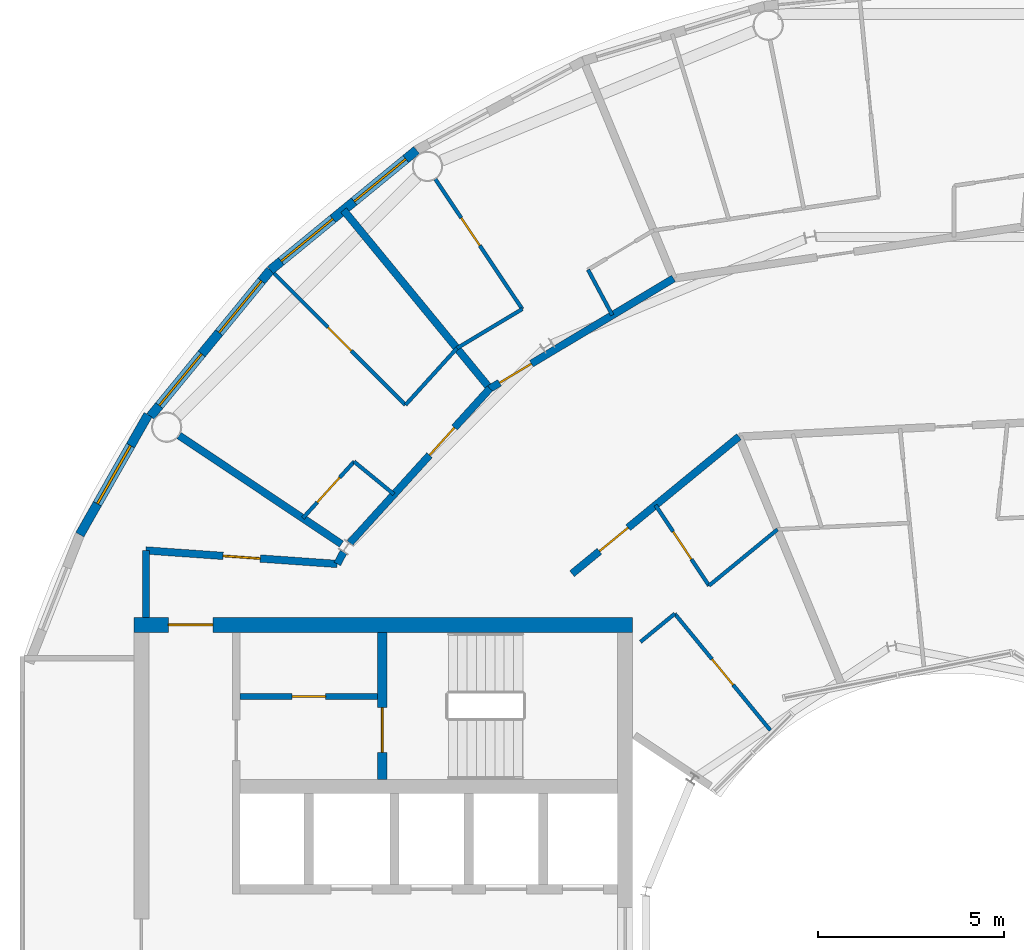
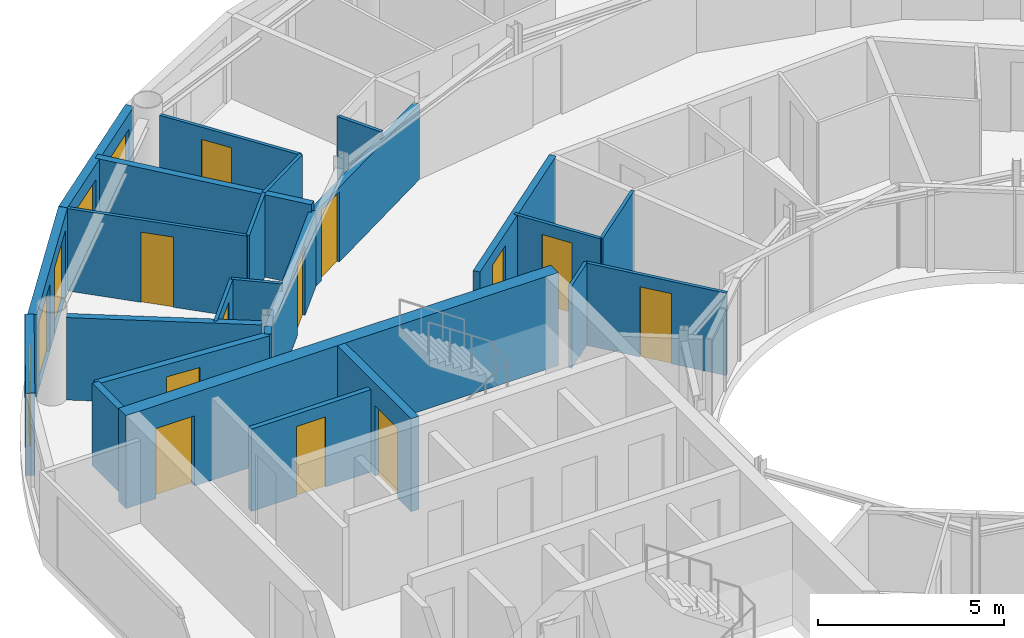
# One storey, part 16 of 22: 25 walls, 16 doors, 1 window, 17 openings.
"""IFC4 building model written with IfcOpenShell, lengths in metres."""

from ifc_helpers import new_model, si_unit, direction, frame, frame_2d, origin, place, context, subcontext, project, spatial, rectangle, extrude, material, layer, layer_set, type_object, element, fill, save


model = new_model("IFC4")

# Units and contexts
model_context = context("Model", 3, precision=1e-05, world=origin(), true_north=direction((0.0, 1.0)))
body_context = subcontext(model_context, "Body", "Model", "MODEL_VIEW")
ifc_project = project(units=[si_unit("LENGTHUNIT", "METRE"), si_unit("AREAUNIT", "SQUARE_METRE"), si_unit("VOLUMEUNIT", "CUBIC_METRE"), si_unit("PLANEANGLEUNIT", "RADIAN"), si_unit("MASSUNIT", "GRAM", prefix="KILO")], contexts=[model_context])

# Site, building, storey
site_placement = place(None, origin())
site = spatial("IfcSite", under=ifc_project, at=site_placement, CompositionType="ELEMENT")
building_placement = place(site_placement, origin())
building = spatial("IfcBuilding", under=site, at=building_placement, Name="Maasbend Ring Residences", CompositionType="ELEMENT")
storey_placement = place(building_placement, frame((0.0, 0.0, 237.10009765625)))
storey = spatial("IfcBuildingStorey", under=building, at=storey_placement, Name="L68", CompositionType="ELEMENT", Elevation=237.10009765625)

# Wall, opening, door
ifc_material_1 = material(Name="Concrete C50/60", Category="concrete")
ifc_layer_1 = layer(ifc_material_1, 0.25)
ifc_layer_set_1 = layer_set([ifc_layer_1], Name="Concrete C50/60")
wall_type_1 = type_object("IfcWallType", Name="CORE WALL 250 C50/60", PredefinedType="SHEAR", material=ifc_layer_set_1)
wall_1_placement = place(storey_placement, frame((-15.324951171875, 8.60009765625, 0.0), z_axis=(0.0, 0.0, 1.0), x_axis=(0.0, -1.0, 0.0)))
wall_1 = element("IfcWall", 1, at=wall_1_placement, inside=storey, type_object=wall_type_1, Name="L68 core W wall STES", PredefinedType="SHEAR", context=body_context, shape_type="SweptSolid", body=[
    extrude(rectangle(XDim=3.9501953125, YDim=0.25, at=frame_2d((1.97509765625, 0.0))), origin(), (0.0, 0.0, 1.0), 3.0498046875),
])
opening_1_placement = place(wall_1_placement, frame((2.02490234375, 0.0, 0.0)))
opening_1 = element("IfcOpeningElement", 2, at=opening_1_placement, cuts=wall_1, Name="Opening D-W6812", PredefinedType="OPENING", context=body_context, shape_type="SweptSolid", body=[
    extrude(rectangle(XDim=1.199951171875, YDim=2.300048828125, at=frame_2d((0.60009765625, 1.14990234375))), frame((0.0, 0.135009765625, 0.0), z_axis=(0.0, -1.0, 0.0), x_axis=(1.0, 0.0, 0.0)), (0.0, 0.0, 1.0), 0.27001953125),
])
ifc_material_2 = material(Name="Steel, powder coated", Category="steel")
door_type_1 = type_object("IfcDoorType", Name="STAIR DOOR 1200 X 2300 FD60", OperationType="NOTDEFINED", PredefinedType="DOOR", material=ifc_material_2)
door_1_placement = place(opening_1_placement, origin())
door_1 = element("IfcDoor", 3, at=door_1_placement, inside=storey, type_object=door_type_1, Name="Stair door ST-W L68", OperationType="SINGLE_SWING_LEFT", OverallHeight=2.300048828125, OverallWidth=1.199951171875, PredefinedType="DOOR", context=body_context, shape_type="SweptSolid", body=[
    extrude(rectangle(XDim=1.199951171875, YDim=2.300048828125, at=frame_2d((0.60009765625, 1.14990234375))), frame((0.0, 0.02490234375, 0.0), z_axis=(0.0, -1.0, 0.0), x_axis=(1.0, 0.0, 0.0)), (0.0, 0.0, 1.0), 0.050048828125),
])
fill(opening_1, door_1)

ifc_material_3 = material(Name="Concrete C50/60", Category="concrete")
ifc_layer_2 = layer(ifc_material_3, 0.39990234375)
ifc_layer_set_2 = layer_set([ifc_layer_2], Name="Concrete C50/60")
wall_type_2 = type_object("IfcWallType", Name="CORE WALL 400 C50/60", PredefinedType="SHEAR", material=ifc_layer_set_2)
wall_2_placement = place(storey_placement, frame((-8.60009765625, 8.800048828125, 0.0), z_axis=(0.0, 0.0, 1.0), x_axis=(-1.0, 0.0, 0.0)))
wall_2 = element("IfcWall", 4, at=wall_2_placement, inside=storey, type_object=wall_type_2, Name="L68 core W wall PS", PredefinedType="SHEAR", context=body_context, shape_type="SweptSolid", body=[
    extrude(rectangle(XDim=13.39990234375, YDim=0.39990234375, at=frame_2d((6.699951171875, 0.0))), origin(), (0.0, 0.0, 1.0), 3.0498046875),
])
opening_2_placement = place(wall_2_placement, frame((11.27490234375, 0.0, 0.0)))
opening_2 = element("IfcOpeningElement", 5, at=opening_2_placement, cuts=wall_2, Name="Opening D-W6816", PredefinedType="OPENING", context=body_context, shape_type="SweptSolid", body=[
    extrude(rectangle(XDim=1.199951171875, YDim=2.300048828125, at=frame_2d((0.60009765625, 1.14990234375))), frame((0.0, 0.2099609375, 0.0), z_axis=(0.0, -1.0, 0.0), x_axis=(1.0, 0.0, 0.0)), (0.0, 0.0, 1.0), 0.419921875),
])
ifc_material_4 = material(Name="Steel, powder coated", Category="steel")
door_type_2 = type_object("IfcDoorType", Name="CORRIDOR DOOR 1200 X 2300 FD30S", OperationType="NOTDEFINED", PredefinedType="DOOR", material=ifc_material_4)
door_2_placement = place(opening_2_placement, origin())
door_2 = element("IfcDoor", 6, at=door_2_placement, inside=storey, type_object=door_type_2, Name="Corridor door L68", OperationType="SINGLE_SWING_LEFT", OverallHeight=2.300048828125, OverallWidth=1.199951171875, PredefinedType="DOOR", context=body_context, shape_type="SweptSolid", body=[
    extrude(rectangle(XDim=1.199951171875, YDim=2.300048828125, at=frame_2d((0.60009765625, 1.14990234375))), frame((0.0, 0.02490234375, 0.0), z_axis=(0.0, -1.0, 0.0), x_axis=(1.0, 0.0, 0.0)), (0.0, 0.0, 1.0), 0.050048828125),
])
fill(opening_2, door_2)

ifc_material_5 = material(Name="Concrete C30/37", Category="concrete")
ifc_layer_3 = layer(ifc_material_5, 0.199951171875)
ifc_layer_set_3 = layer_set([ifc_layer_3], Name="Concrete C30/37")
wall_type_3 = type_object("IfcWallType", Name="CORRIDOR WALL 200 CONCRETE", PredefinedType="PARTITIONING", material=ifc_layer_set_3)
wall_3_placement = place(storey_placement, frame((-21.675048828125, 10.800048828125, 0.0), z_axis=(0.0, 0.0, 1.0), x_axis=(0.997515141784, -0.070452408845, 0.0)))
wall_3 = element("IfcWall", 7, at=wall_3_placement, inside=storey, type_object=wall_type_3, Name="U-L68-w099", PredefinedType="PARTITIONING", context=body_context, shape_type="SweptSolid", body=[
    extrude(rectangle(XDim=5.15283203125, YDim=0.199951171875, at=frame_2d((2.576416015625, 0.0))), origin(), (0.0, 0.0, 1.0), 2.699951171875),
])
opening_3_placement = place(wall_3_placement, frame((2.075927734375, 0.0, 0.0)))
opening_3 = element("IfcOpeningElement", 8, at=opening_3_placement, cuts=wall_3, Name="Opening D-6866", PredefinedType="OPENING", context=body_context, shape_type="SweptSolid", body=[
    extrude(rectangle(XDim=1.0, YDim=2.300048828125, at=frame_2d((0.5, 1.14990234375))), frame((0.0, 0.10986328125, 0.0), z_axis=(0.0, -1.0, 0.0), x_axis=(1.0, 0.0, 0.0)), (0.0, 0.0, 1.0), 0.219970703125),
])
ifc_material_6 = material(Name="Timber, painted", Category="wood")
door_type_3 = type_object("IfcDoorType", Name="ROOM DOOR 1000 X 2300", OperationType="NOTDEFINED", PredefinedType="DOOR", material=ifc_material_6)
door_3_placement = place(opening_3_placement, origin())
door_3 = element("IfcDoor", 9, at=door_3_placement, inside=storey, type_object=door_type_3, Name="D-6866", OperationType="SINGLE_SWING_RIGHT", OverallHeight=2.300048828125, OverallWidth=1.0, PredefinedType="DOOR", context=body_context, shape_type="SweptSolid", body=[
    extrude(rectangle(XDim=1.0, YDim=2.300048828125, at=frame_2d((0.5, 1.14990234375))), frame((0.0, 0.02490234375, 0.0), z_axis=(0.0, -1.0, 0.0), x_axis=(1.0, 0.0, 0.0)), (0.0, 0.0, 1.0), 0.050048828125),
])
fill(opening_3, door_3)

wall_4_placement = place(storey_placement, frame((-10.22802734375, 10.175048828125, 0.0), z_axis=(0.0, 0.0, 1.0), x_axis=(0.772989261861, 0.634419105204, 0.0)))
wall_4 = element("IfcWall", 10, at=wall_4_placement, inside=storey, type_object=wall_type_3, Name="U-L68-w109", PredefinedType="PARTITIONING", context=body_context, shape_type="SweptSolid", body=[
    extrude(rectangle(XDim=5.803466796875, YDim=0.199951171875, at=frame_2d((2.90185546875, 0.0))), origin(), (0.0, 0.0, 1.0), 2.699951171875),
])
opening_4_placement = place(wall_4_placement, frame((0.951904296875, 0.0, 0.0)))
opening_4 = element("IfcOpeningElement", 11, at=opening_4_placement, cuts=wall_4, Name="Opening D-6830", PredefinedType="OPENING", context=body_context, shape_type="SweptSolid", body=[
    extrude(rectangle(XDim=1.0, YDim=2.300048828125, at=frame_2d((0.5, 1.14990234375))), frame((0.0, 0.10986328125, 0.0), z_axis=(0.0, -1.0, 0.0), x_axis=(1.0, 0.0, 0.0)), (0.0, 0.0, 1.0), 0.219970703125),
])
ifc_material_7 = material(Name="Timber, fire-rated, painted", Category="wood")
door_type_4 = type_object("IfcDoorType", Name="FLAT ENTRANCE DOOR 1000 X 2300 FIRE-RATED", OperationType="NOTDEFINED", PredefinedType="DOOR", material=ifc_material_7)
door_4_placement = place(opening_4_placement, origin())
door_4 = element("IfcDoor", 12, at=door_4_placement, inside=storey, type_object=door_type_4, Name="D-6830", OperationType="SINGLE_SWING_LEFT", OverallHeight=2.300048828125, OverallWidth=1.0, PredefinedType="DOOR", context=body_context, shape_type="SweptSolid", body=[
    extrude(rectangle(XDim=1.0, YDim=2.300048828125, at=frame_2d((0.5, 1.14990234375))), frame((0.0, 0.02490234375, 0.0), z_axis=(0.0, -1.0, 0.0), x_axis=(1.0, 0.0, 0.0)), (0.0, 0.0, 1.0), 0.050048828125),
])
fill(opening_4, door_4)

wall_5_placement = place(storey_placement, frame((-16.195068359375, 11.001953125, 0.0), z_axis=(0.0, 0.0, 1.0), x_axis=(0.671619657805, 0.740896102871, 0.0)))
wall_5 = element("IfcWall", 13, at=wall_5_placement, inside=storey, type_object=wall_type_3, Name="U-L68-w111", PredefinedType="PARTITIONING", context=body_context, shape_type="SweptSolid", body=[
    extrude(rectangle(XDim=5.599853515625, YDim=0.199951171875, at=frame_2d((2.7998046875, 0.0))), origin(), (0.0, 0.0, 1.0), 2.449951171875),
])
opening_5_placement = place(wall_5_placement, frame((3.18310546875, 0.0, 0.0)))
opening_5 = element("IfcOpeningElement", 14, at=opening_5_placement, cuts=wall_5, Name="Opening D-6818", PredefinedType="OPENING", context=body_context, shape_type="SweptSolid", body=[
    extrude(rectangle(XDim=1.0, YDim=2.300048828125, at=frame_2d((0.5, 1.14990234375))), frame((0.0, 0.10986328125, 0.0), z_axis=(0.0, -1.0, 0.0), x_axis=(1.0, 0.0, 0.0)), (0.0, 0.0, 1.0), 0.219970703125),
])
door_5_placement = place(opening_5_placement, origin())
door_5 = element("IfcDoor", 15, at=door_5_placement, inside=storey, type_object=door_type_4, Name="D-6818", OperationType="SINGLE_SWING_RIGHT", OverallHeight=2.300048828125, OverallWidth=1.0, PredefinedType="DOOR", context=body_context, shape_type="SweptSolid", body=[
    extrude(rectangle(XDim=1.0, YDim=2.300048828125, at=frame_2d((0.5, 1.14990234375))), frame((0.0, 0.02490234375, 0.0), z_axis=(0.0, -1.0, 0.0), x_axis=(1.0, 0.0, 0.0)), (0.0, 0.0, 1.0), 0.050048828125),
])
fill(opening_5, door_5)

wall_6_placement = place(storey_placement, frame((-12.43896484375, 15.14599609375, 0.0), z_axis=(0.0, 0.0, 1.0), x_axis=(0.857560257806, 0.514383518624, 0.0)))
wall_6 = element("IfcWall", 16, at=wall_6_placement, inside=storey, type_object=wall_type_3, Name="U-L68-w112", PredefinedType="PARTITIONING", context=body_context, shape_type="SweptSolid", body=[
    extrude(rectangle(XDim=5.75830078125, YDim=0.199951171875, at=frame_2d((2.879150390625, 0.0))), origin(), (0.0, 0.0, 1.0), 2.449951171875),
])
opening_6_placement = place(wall_6_placement, frame((0.306884765625, 0.0, 0.0)))
opening_6 = element("IfcOpeningElement", 17, at=opening_6_placement, cuts=wall_6, Name="Opening D-6815", PredefinedType="OPENING", context=body_context, shape_type="SweptSolid", body=[
    extrude(rectangle(XDim=1.0, YDim=2.300048828125, at=frame_2d((0.5, 1.14990234375))), frame((0.0, 0.10986328125, 0.0), z_axis=(0.0, -1.0, 0.0), x_axis=(1.0, 0.0, 0.0)), (0.0, 0.0, 1.0), 0.219970703125),
])
door_6_placement = place(opening_6_placement, origin())
door_6 = element("IfcDoor", 18, at=door_6_placement, inside=storey, type_object=door_type_4, Name="D-6815", OperationType="SINGLE_SWING_LEFT", OverallHeight=2.300048828125, OverallWidth=1.0, PredefinedType="DOOR", context=body_context, shape_type="SweptSolid", body=[
    extrude(rectangle(XDim=1.0, YDim=2.300048828125, at=frame_2d((0.5, 1.14990234375))), frame((0.0, 0.02490234375, 0.0), z_axis=(0.0, -1.0, 0.0), x_axis=(1.0, 0.0, 0.0)), (0.0, 0.0, 1.0), 0.050048828125),
])
fill(opening_6, door_6)

# Walls
wall_7_placement = place(storey_placement, frame((-16.534912109375, 10.43701171875, 0.0), z_axis=(0.0, 0.0, 1.0), x_axis=(0.465802239822, 0.884888848035, 0.0)))
element("IfcWall", 19, at=wall_7_placement, inside=storey, type_object=wall_type_3, Name="U-L68-w116", PredefinedType="PARTITIONING", context=body_context, shape_type="SweptSolid", body=[
    extrude(rectangle(XDim=0.360595703125, YDim=0.199951171875, at=frame_2d((0.18017578125, 0.0))), origin(), (0.0, 0.0, 1.0), 2.699951171875),
])
wall_8_placement = place(storey_placement, frame((-21.675048828125, 9.0, 0.0), z_axis=(0.0, 0.0, 1.0), x_axis=(0.0, 1.0, 0.0)))
element("IfcWall", 20, at=wall_8_placement, inside=storey, type_object=wall_type_3, Name="U-L68-w131", PredefinedType="PARTITIONING", context=body_context, shape_type="SweptSolid", body=[
    extrude(rectangle(XDim=1.800048828125, YDim=0.199951171875, at=frame_2d((0.89990234375, 0.0))), origin(), (0.0, 0.0, 1.0), 2.699951171875),
])

# Wall, openings, doors
ifc_material_8 = material(Name="Aluminium clad insulated panel", Category="aluminium")
ifc_layer_4 = layer(ifc_material_8, 0.25)
ifc_layer_set_4 = layer_set([ifc_layer_4], Name="EW-GL")
wall_type_4 = type_object("IfcWallType", Name="EW-GL", PredefinedType="SOLIDWALL", material=ifc_layer_set_4)
wall_9_placement = place(storey_placement, frame((-14.403076171875, 21.555908203125, 0.0), z_axis=(0.0, 0.0, 1.0), x_axis=(-0.77306189429, -0.63433059803, 0.0)))
wall_9 = element("IfcWall", 21, at=wall_9_placement, inside=storey, type_object=wall_type_4, Name="External wall N09", PredefinedType="SOLIDWALL", context=body_context, shape_type="SweptSolid", body=[
    extrude(rectangle(XDim=5.082275390625, YDim=0.25, at=frame_2d((2.541015625, 0.0))), origin(), (0.0, 0.0, 1.0), 2.699951171875),
])
opening_7_placement = place(wall_9_placement, frame((0.37353515625, 0.0, 0.0)))
opening_7 = element("IfcOpeningElement", 22, at=opening_7_placement, cuts=wall_9, Name="Opening D-TR", PredefinedType="OPENING", context=body_context, shape_type="SweptSolid", body=[
    extrude(rectangle(XDim=1.800048828125, YDim=2.199951171875, at=frame_2d((0.89990234375, 1.10009765625))), frame((0.0, 0.135009765625, 0.0), z_axis=(0.0, -1.0, 0.0), x_axis=(1.0, 0.0, 0.0)), (0.0, 0.0, 1.0), 0.27001953125),
])
opening_8_placement = place(wall_9_placement, frame((2.90869140625, 0.0, 0.0)))
opening_8 = element("IfcOpeningElement", 23, at=opening_8_placement, cuts=wall_9, Name="Opening D-TR", PredefinedType="OPENING", context=body_context, shape_type="SweptSolid", body=[
    extrude(rectangle(XDim=1.800048828125, YDim=2.199951171875, at=frame_2d((0.89990234375, 1.10009765625))), frame((0.0, 0.135009765625, 0.0), z_axis=(0.0, -1.0, 0.0), x_axis=(1.0, 0.0, 0.0)), (0.0, 0.0, 1.0), 0.27001953125),
])
ifc_material_9 = material(Name="Aluminium and clear glass", Category="aluminium")
door_type_5 = type_object("IfcDoorType", Name="D-TR", OperationType="DOUBLE_DOOR_SINGLE_SWING", PredefinedType="DOOR", material=ifc_material_9)
door_7_placement = place(opening_7_placement, origin())
door_7 = element("IfcDoor", 24, at=door_7_placement, inside=storey, type_object=door_type_5, Name="Terrace door N17", OperationType="SINGLE_SWING_LEFT", OverallHeight=2.199951171875, OverallWidth=1.800048828125, PredefinedType="DOOR", context=body_context, shape_type="SweptSolid", body=[
    extrude(rectangle(XDim=1.800048828125, YDim=2.199951171875, at=frame_2d((0.89990234375, 1.10009765625))), frame((0.0, 0.02490234375, 0.0), z_axis=(0.0, -1.0, 0.0), x_axis=(1.0, 0.0, 0.0)), (0.0, 0.0, 1.0), 0.050048828125),
])
fill(opening_7, door_7)
door_8_placement = place(opening_8_placement, origin())
door_8 = element("IfcDoor", 25, at=door_8_placement, inside=storey, type_object=door_type_5, Name="Terrace door N18", OperationType="SINGLE_SWING_LEFT", OverallHeight=2.199951171875, OverallWidth=1.800048828125, PredefinedType="DOOR", context=body_context, shape_type="SweptSolid", body=[
    extrude(rectangle(XDim=1.800048828125, YDim=2.199951171875, at=frame_2d((0.89990234375, 1.10009765625))), frame((0.0, 0.02490234375, 0.0), z_axis=(0.0, -1.0, 0.0), x_axis=(1.0, 0.0, 0.0)), (0.0, 0.0, 1.0), 0.050048828125),
])
fill(opening_8, door_8)

wall_10_placement = place(storey_placement, frame((-18.33203125, 18.33203125, 0.0), z_axis=(0.0, 0.0, 1.0), x_axis=(-0.63433059803, -0.77306189429, 0.0)))
wall_10 = element("IfcWall", 26, at=wall_10_placement, inside=storey, type_object=wall_type_4, Name="External wall N10", PredefinedType="SOLIDWALL", context=body_context, shape_type="SweptSolid", body=[
    extrude(rectangle(XDim=5.082275390625, YDim=0.25, at=frame_2d((2.541015625, 0.0))), origin(), (0.0, 0.0, 1.0), 2.699951171875),
])
opening_9_placement = place(wall_10_placement, frame((0.37353515625, 0.0, 0.0)))
opening_9 = element("IfcOpeningElement", 27, at=opening_9_placement, cuts=wall_10, Name="Opening D-TR", PredefinedType="OPENING", context=body_context, shape_type="SweptSolid", body=[
    extrude(rectangle(XDim=1.800048828125, YDim=2.199951171875, at=frame_2d((0.89990234375, 1.10009765625))), frame((0.0, 0.135009765625, 0.0), z_axis=(0.0, -1.0, 0.0), x_axis=(1.0, 0.0, 0.0)), (0.0, 0.0, 1.0), 0.27001953125),
])
opening_10_placement = place(wall_10_placement, frame((2.90869140625, 0.0, 0.0)))
opening_10 = element("IfcOpeningElement", 28, at=opening_10_placement, cuts=wall_10, Name="Opening D-TR", PredefinedType="OPENING", context=body_context, shape_type="SweptSolid", body=[
    extrude(rectangle(XDim=1.800048828125, YDim=2.199951171875, at=frame_2d((0.89990234375, 1.10009765625))), frame((0.0, 0.135009765625, 0.0), z_axis=(0.0, -1.0, 0.0), x_axis=(1.0, 0.0, 0.0)), (0.0, 0.0, 1.0), 0.27001953125),
])
door_9_placement = place(opening_9_placement, origin())
door_9 = element("IfcDoor", 29, at=door_9_placement, inside=storey, type_object=door_type_5, Name="Terrace door N19", OperationType="SINGLE_SWING_LEFT", OverallHeight=2.199951171875, OverallWidth=1.800048828125, PredefinedType="DOOR", context=body_context, shape_type="SweptSolid", body=[
    extrude(rectangle(XDim=1.800048828125, YDim=2.199951171875, at=frame_2d((0.89990234375, 1.10009765625))), frame((0.0, 0.02490234375, 0.0), z_axis=(0.0, -1.0, 0.0), x_axis=(1.0, 0.0, 0.0)), (0.0, 0.0, 1.0), 0.050048828125),
])
fill(opening_9, door_9)
door_10_placement = place(opening_10_placement, origin())
door_10 = element("IfcDoor", 30, at=door_10_placement, inside=storey, type_object=door_type_5, Name="Terrace door N20", OperationType="SINGLE_SWING_LEFT", OverallHeight=2.199951171875, OverallWidth=1.800048828125, PredefinedType="DOOR", context=body_context, shape_type="SweptSolid", body=[
    extrude(rectangle(XDim=1.800048828125, YDim=2.199951171875, at=frame_2d((0.89990234375, 1.10009765625))), frame((0.0, 0.02490234375, 0.0), z_axis=(0.0, -1.0, 0.0), x_axis=(1.0, 0.0, 0.0)), (0.0, 0.0, 1.0), 0.050048828125),
])
fill(opening_10, door_10)

# Wall, opening, window
ifc_material_10 = material(Name="Aluminium clad insulated panel", Category="aluminium")
ifc_layer_5 = layer(ifc_material_10, 0.25)
ifc_layer_set_5 = layer_set([ifc_layer_5], Name="EW-HORN")
wall_type_5 = type_object("IfcWallType", Name="EW-HORN", PredefinedType="SOLIDWALL", material=ifc_layer_set_5)
wall_11_placement = place(storey_placement, frame((-21.617919921875, 14.445068359375, 0.0), z_axis=(0.0, 0.0, 1.0), x_axis=(-0.495031435966, -0.868875064325, 0.0)))
wall_11 = element("IfcWall", 31, at=wall_11_placement, inside=storey, type_object=wall_type_5, Name="Horn wall 4.1", PredefinedType="SOLIDWALL", context=body_context, shape_type="SweptSolid", body=[
    extrude(rectangle(XDim=3.704833984375, YDim=0.25, at=frame_2d((1.8525390625, 0.0))), origin(), (0.0, 0.0, 1.0), 2.699951171875),
])
opening_11_placement = place(wall_11_placement, frame((0.952392578125, 0.0, 0.300048828125)))
opening_11 = element("IfcOpeningElement", 32, at=opening_11_placement, cuts=wall_11, Name="Opening W-BX", PredefinedType="OPENING", context=body_context, shape_type="SweptSolid", body=[
    extrude(rectangle(XDim=1.800048828125, YDim=2.10009765625, at=frame_2d((0.89990234375, 1.050048828125))), frame((0.0, 0.135009765625, 0.0), z_axis=(0.0, -1.0, 0.0), x_axis=(1.0, 0.0, 0.0)), (0.0, 0.0, 1.0), 0.27001953125),
])
ifc_material_11 = material(Name="Aluminium and clear glass", Category="aluminium")
window_type = type_object("IfcWindowType", Name="W-BX", PartitioningType="DOUBLE_PANEL_VERTICAL", PredefinedType="WINDOW", material=ifc_material_11)
window_placement = place(opening_11_placement, origin())
window = element("IfcWindow", 33, at=window_placement, inside=storey, type_object=window_type, Name="Horn window 4.1", OverallHeight=2.10009765625, OverallWidth=1.800048828125, PartitioningType="SINGLE_PANEL", PredefinedType="WINDOW", context=body_context, shape_type="SweptSolid", body=[
    extrude(rectangle(XDim=1.800048828125, YDim=2.10009765625, at=frame_2d((0.89990234375, 1.050048828125))), frame((0.0, 0.030029296875, 0.0), z_axis=(0.0, -1.0, 0.0), x_axis=(1.0, 0.0, 0.0)), (0.0, 0.0, 1.0), 0.06005859375),
])
fill(opening_11, window)

# Wall, opening, door
ifc_material_12 = material(Name="Gypsum board on steel studs", Category="steel")
ifc_layer_6 = layer(ifc_material_12, 0.10009765625)
ifc_layer_set_6 = layer_set([ifc_layer_6], Name="PARTITION 100 GYPSUM")
wall_type_6 = type_object("IfcWallType", Name="PARTITION 100 GYPSUM", PredefinedType="PARTITIONING", material=ifc_layer_set_6)
wall_12_placement = place(storey_placement, frame((-18.238037109375, 18.2490234375, 0.0), z_axis=(0.0, 0.0, 1.0), x_axis=(0.706911528738, -0.707301979735, 0.0)))
wall_12 = element("IfcWall", 34, at=wall_12_placement, inside=storey, type_object=wall_type_6, Name="U-L68-w043", PredefinedType="PARTITIONING", context=body_context, shape_type="SweptSolid", body=[
    extrude(rectangle(XDim=5.002197265625, YDim=0.10009765625, at=frame_2d((2.5009765625, 0.0))), origin(), (0.0, 0.0, 1.0), 2.699951171875),
])
opening_12_placement = place(wall_12_placement, frame((2.051025390625, 0.0, 0.0)))
opening_12 = element("IfcOpeningElement", 35, at=opening_12_placement, cuts=wall_12, Name="Opening D-6820", PredefinedType="OPENING", context=body_context, shape_type="SweptSolid", body=[
    extrude(rectangle(XDim=0.89990234375, YDim=2.300048828125, at=frame_2d((0.449951171875, 1.14990234375))), frame((0.0, 0.06005859375, 0.0), z_axis=(0.0, -1.0, 0.0), x_axis=(1.0, 0.0, 0.0)), (0.0, 0.0, 1.0), 0.1201171875),
])
ifc_material_13 = material(Name="Timber, painted", Category="wood")
door_type_6 = type_object("IfcDoorType", Name="INTERNAL DOOR 900 X 2300", OperationType="NOTDEFINED", PredefinedType="DOOR", material=ifc_material_13)
door_11_placement = place(opening_12_placement, origin())
door_11 = element("IfcDoor", 36, at=door_11_placement, inside=storey, type_object=door_type_6, Name="D-6820", OperationType="SINGLE_SWING_RIGHT", OverallHeight=2.300048828125, OverallWidth=0.89990234375, PredefinedType="DOOR", context=body_context, shape_type="SweptSolid", body=[
    extrude(rectangle(XDim=0.89990234375, YDim=2.300048828125, at=frame_2d((0.449951171875, 1.14990234375))), frame((0.0, 0.02490234375, 0.0), z_axis=(0.0, -1.0, 0.0), x_axis=(1.0, 0.0, 0.0)), (0.0, 0.0, 1.0), 0.050048828125),
])
fill(opening_12, door_11)

# Wall
wall_13_placement = place(storey_placement, frame((-16.0830078125, 13.18701171875, 0.0), z_axis=(0.0, 0.0, 1.0), x_axis=(0.773321325714, -0.634014295735, 0.0)))
element("IfcWall", 37, at=wall_13_placement, inside=storey, type_object=wall_type_6, Name="U-L68-w046", PredefinedType="PARTITIONING", context=body_context, shape_type="SweptSolid", body=[
    extrude(rectangle(XDim=1.38623046875, YDim=0.10009765625, at=frame_2d((0.693115234375, 0.0))), origin(), (0.0, 0.0, 1.0), 2.699951171875),
])

# Wall, opening, door
wall_14_placement = place(storey_placement, frame((-13.902099609375, 20.780029296875, 0.0), z_axis=(0.0, 0.0, 1.0), x_axis=(0.55597277711, -0.831200499947, 0.0)))
wall_14 = element("IfcWall", 38, at=wall_14_placement, inside=storey, type_object=wall_type_6, Name="U-L68-w048", PredefinedType="PARTITIONING", context=body_context, shape_type="SweptSolid", body=[
    extrude(rectangle(XDim=4.20361328125, YDim=0.10009765625, at=frame_2d((2.101806640625, 0.0))), origin(), (0.0, 0.0, 1.0), 2.699951171875),
])
opening_13_placement = place(wall_14_placement, frame((1.2529296875, 0.0, 0.0)))
opening_13 = element("IfcOpeningElement", 39, at=opening_13_placement, cuts=wall_14, Name="Opening D-6817", PredefinedType="OPENING", context=body_context, shape_type="SweptSolid", body=[
    extrude(rectangle(XDim=0.89990234375, YDim=2.300048828125, at=frame_2d((0.449951171875, 1.14990234375))), frame((0.0, 0.06005859375, 0.0), z_axis=(0.0, -1.0, 0.0), x_axis=(1.0, 0.0, 0.0)), (0.0, 0.0, 1.0), 0.1201171875),
])
door_12_placement = place(opening_13_placement, origin())
door_12 = element("IfcDoor", 40, at=door_12_placement, inside=storey, type_object=door_type_6, Name="D-6817", OperationType="SINGLE_SWING_LEFT", OverallHeight=2.300048828125, OverallWidth=0.89990234375, PredefinedType="DOOR", context=body_context, shape_type="SweptSolid", body=[
    extrude(rectangle(XDim=0.89990234375, YDim=2.300048828125, at=frame_2d((0.449951171875, 1.14990234375))), frame((0.0, 0.02490234375, 0.0), z_axis=(0.0, -1.0, 0.0), x_axis=(1.0, 0.0, 0.0)), (0.0, 0.0, 1.0), 0.050048828125),
])
fill(opening_13, door_12)

# Wall
wall_15_placement = place(storey_placement, frame((-9.798095703125, 18.344970703125, 0.0), z_axis=(0.0, 0.0, 1.0), x_axis=(0.471072596947, -0.882094444153, 0.0)))
element("IfcWall", 41, at=wall_15_placement, inside=storey, type_object=wall_type_6, Name="U-L68-w052", PredefinedType="PARTITIONING", context=body_context, shape_type="SweptSolid", body=[
    extrude(rectangle(XDim=1.386474609375, YDim=0.10009765625, at=frame_2d((0.693359375, 0.0))), origin(), (0.0, 0.0, 1.0), 2.699951171875),
])

# Wall, opening, door
wall_16_placement = place(storey_placement, frame((-7.98388671875, 12.01708984375, 0.0), z_axis=(0.0, 0.0, 1.0), x_axis=(0.553289146762, -0.832989267683, 0.0)))
wall_16 = element("IfcWall", 42, at=wall_16_placement, inside=storey, type_object=wall_type_6, Name="U-L68-w054", PredefinedType="PARTITIONING", context=body_context, shape_type="SweptSolid", body=[
    extrude(rectangle(XDim=2.5966796875, YDim=0.10009765625, at=frame_2d((1.29833984375, 0.0))), origin(), (0.0, 0.0, 1.0), 2.699951171875),
])
opening_14_placement = place(wall_16_placement, frame((0.847900390625, 0.0, 0.0)))
opening_14 = element("IfcOpeningElement", 43, at=opening_14_placement, cuts=wall_16, Name="Opening D-6831", PredefinedType="OPENING", context=body_context, shape_type="SweptSolid", body=[
    extrude(rectangle(XDim=0.89990234375, YDim=2.300048828125, at=frame_2d((0.449951171875, 1.14990234375))), frame((0.0, 0.06005859375, 0.0), z_axis=(0.0, -1.0, 0.0), x_axis=(1.0, 0.0, 0.0)), (0.0, 0.0, 1.0), 0.1201171875),
])
door_13_placement = place(opening_14_placement, origin())
door_13 = element("IfcDoor", 44, at=door_13_placement, inside=storey, type_object=door_type_6, Name="D-6831", OperationType="SINGLE_SWING_RIGHT", OverallHeight=2.300048828125, OverallWidth=0.89990234375, PredefinedType="DOOR", context=body_context, shape_type="SweptSolid", body=[
    extrude(rectangle(XDim=0.89990234375, YDim=2.300048828125, at=frame_2d((0.449951171875, 1.14990234375))), frame((0.0, 0.02490234375, 0.0), z_axis=(0.0, -1.0, 0.0), x_axis=(1.0, 0.0, 0.0)), (0.0, 0.0, 1.0), 0.050048828125),
])
fill(opening_14, door_13)

wall_17_placement = place(storey_placement, frame((-7.467041015625, 9.09912109375, 0.0), z_axis=(0.0, 0.0, 1.0), x_axis=(0.634313840507, -0.773075644256, 0.0)))
wall_17 = element("IfcWall", 45, at=wall_17_placement, inside=storey, type_object=wall_type_6, Name="U-L68-w058", PredefinedType="PARTITIONING", context=body_context, shape_type="SweptSolid", body=[
    extrude(rectangle(XDim=4.05029296875, YDim=0.10009765625, at=frame_2d((2.025146484375, 0.0))), origin(), (0.0, 0.0, 1.0), 2.699951171875),
])
opening_15_placement = place(wall_17_placement, frame((1.574951171875, 0.0, 0.0)))
opening_15 = element("IfcOpeningElement", 46, at=opening_15_placement, cuts=wall_17, Name="Opening D-6832", PredefinedType="OPENING", context=body_context, shape_type="SweptSolid", body=[
    extrude(rectangle(XDim=0.89990234375, YDim=2.300048828125, at=frame_2d((0.449951171875, 1.14990234375))), frame((0.0, 0.06005859375, 0.0), z_axis=(0.0, -1.0, 0.0), x_axis=(1.0, 0.0, 0.0)), (0.0, 0.0, 1.0), 0.1201171875),
])
door_14_placement = place(opening_15_placement, origin())
door_14 = element("IfcDoor", 47, at=door_14_placement, inside=storey, type_object=door_type_6, Name="D-6832", OperationType="SINGLE_SWING_RIGHT", OverallHeight=2.300048828125, OverallWidth=0.89990234375, PredefinedType="DOOR", context=body_context, shape_type="SweptSolid", body=[
    extrude(rectangle(XDim=0.89990234375, YDim=2.300048828125, at=frame_2d((0.449951171875, 1.14990234375))), frame((0.0, 0.02490234375, 0.0), z_axis=(0.0, -1.0, 0.0), x_axis=(1.0, 0.0, 0.0)), (0.0, 0.0, 1.0), 0.050048828125),
])
fill(opening_15, door_14)

# Walls
wall_18_placement = place(storey_placement, frame((-8.386962890625, 8.343994140625, 0.0), z_axis=(0.0, 0.0, 1.0), x_axis=(0.772869802794, 0.634564628646, 0.0)))
element("IfcWall", 48, at=wall_18_placement, inside=storey, type_object=wall_type_6, Name="U-L68-w105", PredefinedType="PARTITIONING", context=body_context, shape_type="SweptSolid", body=[
    extrude(rectangle(XDim=1.191650390625, YDim=0.10009765625, at=frame_2d((0.595703125, 0.0))), origin(), (0.0, 0.0, 1.0), 2.699951171875),
])
wall_19_placement = place(storey_placement, frame((-6.547119140625, 9.85400390625, 0.0), z_axis=(0.0, 0.0, 1.0), x_axis=(0.773033390712, 0.634365333893, 0.0)))
element("IfcWall", 49, at=wall_19_placement, inside=storey, type_object=wall_type_6, Name="U-L68-w106", PredefinedType="PARTITIONING", context=body_context, shape_type="SweptSolid", body=[
    extrude(rectangle(XDim=2.38037109375, YDim=0.10009765625, at=frame_2d((1.190185546875, 0.0))), origin(), (0.0, 0.0, 1.0), 2.699951171875),
])

# Wall, opening, door
wall_20_placement = place(storey_placement, frame((-17.4609375, 11.6669921875, 0.0), z_axis=(0.0, 0.0, 1.0), x_axis=(0.671678456097, 0.74084279818, 0.0)))
wall_20 = element("IfcWall", 50, at=wall_20_placement, inside=storey, type_object=wall_type_6, Name="U-L68-w120", PredefinedType="PARTITIONING", context=body_context, shape_type="SweptSolid", body=[
    extrude(rectangle(XDim=2.054443359375, YDim=0.10009765625, at=frame_2d((1.02734375, 0.0))), origin(), (0.0, 0.0, 1.0), 2.699951171875),
])
opening_16_placement = place(wall_20_placement, frame((0.576904296875, 0.0, 0.0)))
opening_16 = element("IfcOpeningElement", 51, at=opening_16_placement, cuts=wall_20, Name="Opening D-6819", PredefinedType="OPENING", context=body_context, shape_type="SweptSolid", body=[
    extrude(rectangle(XDim=0.89990234375, YDim=2.300048828125, at=frame_2d((0.449951171875, 1.14990234375))), frame((0.0, 0.06005859375, 0.0), z_axis=(0.0, -1.0, 0.0), x_axis=(1.0, 0.0, 0.0)), (0.0, 0.0, 1.0), 0.1201171875),
])
door_15_placement = place(opening_16_placement, origin())
door_15 = element("IfcDoor", 52, at=door_15_placement, inside=storey, type_object=door_type_6, Name="D-6819", OperationType="SINGLE_SWING_LEFT", OverallHeight=2.300048828125, OverallWidth=0.89990234375, PredefinedType="DOOR", context=body_context, shape_type="SweptSolid", body=[
    extrude(rectangle(XDim=0.89990234375, YDim=2.300048828125, at=frame_2d((0.449951171875, 1.14990234375))), frame((0.0, 0.02490234375, 0.0), z_axis=(0.0, -1.0, 0.0), x_axis=(1.0, 0.0, 0.0)), (0.0, 0.0, 1.0), 0.050048828125),
])
fill(opening_16, door_15)

# Walls
wall_21_placement = place(storey_placement, frame((-14.700927734375, 14.7109375, 0.0), z_axis=(0.0, 0.0, 1.0), x_axis=(0.671678456097, 0.74084279818, 0.0)))
element("IfcWall", 53, at=wall_21_placement, inside=storey, type_object=wall_type_6, Name="U-L68-w121", PredefinedType="PARTITIONING", context=body_context, shape_type="SweptSolid", body=[
    extrude(rectangle(XDim=2.054443359375, YDim=0.10009765625, at=frame_2d((1.02734375, 0.0))), origin(), (0.0, 0.0, 1.0), 2.699951171875),
])
wall_22_placement = place(storey_placement, frame((-13.322021484375, 16.23291015625, 0.0), z_axis=(0.0, 0.0, 1.0), x_axis=(0.857713062192, 0.514128683254, 0.0)))
element("IfcWall", 54, at=wall_22_placement, inside=storey, type_object=wall_type_6, Name="U-L68-w122", PredefinedType="PARTITIONING", context=body_context, shape_type="SweptSolid", body=[
    extrude(rectangle(XDim=2.05419921875, YDim=0.10009765625, at=frame_2d((1.027099609375, 0.0))), origin(), (0.0, 0.0, 1.0), 2.699951171875),
])

# Wall, opening, door
ifc_material_14 = material(Name="Gypsum board on steel studs", Category="steel")
ifc_layer_7 = layer(ifc_material_14, 0.14990234375)
ifc_layer_set_7 = layer_set([ifc_layer_7], Name="PARTITION 150 EI 60")
wall_type_7 = type_object("IfcWallType", Name="PARTITION 150 EI 60", PredefinedType="PARTITIONING", material=ifc_layer_set_7)
wall_23_placement = place(storey_placement, frame((-15.449951171875, 6.875, 0.0), z_axis=(0.0, 0.0, 1.0), x_axis=(-1.0, 0.0, 0.0)))
wall_23 = element("IfcWall", 55, at=wall_23_placement, inside=storey, type_object=wall_type_7, Name="L68 core W wall RHS", PredefinedType="PARTITIONING", context=body_context, shape_type="SweptSolid", body=[
    extrude(rectangle(XDim=3.699951171875, YDim=0.14990234375, at=frame_2d((1.85009765625, 0.0))), origin(), (0.0, 0.0, 1.0), 2.699951171875),
])
opening_17_placement = place(wall_23_placement, frame((1.39990234375, 0.0, 0.0)))
opening_17 = element("IfcOpeningElement", 56, at=opening_17_placement, cuts=wall_23, Name="Opening D-W6810", PredefinedType="OPENING", context=body_context, shape_type="SweptSolid", body=[
    extrude(rectangle(XDim=0.89990234375, YDim=2.300048828125, at=frame_2d((0.449951171875, 1.14990234375))), frame((0.0, 0.0849609375, 0.0), z_axis=(0.0, -1.0, 0.0), x_axis=(1.0, 0.0, 0.0)), (0.0, 0.0, 1.0), 0.169921875),
])
ifc_material_15 = material(Name="Steel, powder coated", Category="steel")
door_type_7 = type_object("IfcDoorType", Name="RISER DOOR 900 X 2300 FD60", OperationType="NOTDEFINED", PredefinedType="DOOR", material=ifc_material_15)
door_16_placement = place(opening_17_placement, origin())
door_16 = element("IfcDoor", 57, at=door_16_placement, inside=storey, type_object=door_type_7, Name="Riser door L68", OperationType="SINGLE_SWING_LEFT", OverallHeight=2.300048828125, OverallWidth=0.89990234375, PredefinedType="DOOR", context=body_context, shape_type="SweptSolid", body=[
    extrude(rectangle(XDim=0.89990234375, YDim=2.300048828125, at=frame_2d((0.449951171875, 1.14990234375))), frame((0.0, 0.02490234375, 0.0), z_axis=(0.0, -1.0, 0.0), x_axis=(1.0, 0.0, 0.0)), (0.0, 0.0, 1.0), 0.050048828125),
])
fill(opening_17, door_16)

# Walls
ifc_material_16 = material(Name="Concrete C30/37", Category="concrete")
ifc_layer_8 = layer(ifc_material_16, 0.199951171875)
ifc_layer_set_8 = layer_set([ifc_layer_8], Name="Concrete C30/37")
wall_type_8 = type_object("IfcWallType", Name="PARTY WALL 200 CONCRETE", PredefinedType="PARTITIONING", material=ifc_layer_set_8)
wall_24_placement = place(storey_placement, frame((-20.7880859375, 13.889892578125, 0.0), z_axis=(0.0, 0.0, 1.0), x_axis=(0.831406006746, -0.555665413668, 0.0)))
element("IfcWall", 58, at=wall_24_placement, inside=storey, type_object=wall_type_8, Name="U-L68-w041", PredefinedType="PARTITIONING", context=body_context, shape_type="SweptSolid", body=[
    extrude(rectangle(XDim=5.251220703125, YDim=0.199951171875, at=frame_2d((2.62548828125, 0.0))), origin(), (0.0, 0.0, 1.0), 2.699951171875),
])
wall_25_placement = place(storey_placement, frame((-16.365966796875, 19.945068359375, 0.0), z_axis=(0.0, 0.0, 1.0), x_axis=(0.634332904094, -0.773060002059, 0.0)))
element("IfcWall", 59, at=wall_25_placement, inside=storey, type_object=wall_type_8, Name="U-L68-w045", PredefinedType="PARTITIONING", context=body_context, shape_type="SweptSolid", body=[
    extrude(rectangle(XDim=6.199951171875, YDim=0.199951171875, at=frame_2d((3.10009765625, 0.0))), origin(), (0.0, 0.0, 1.0), 2.699951171875),
])

save(model, "model.ifc")
